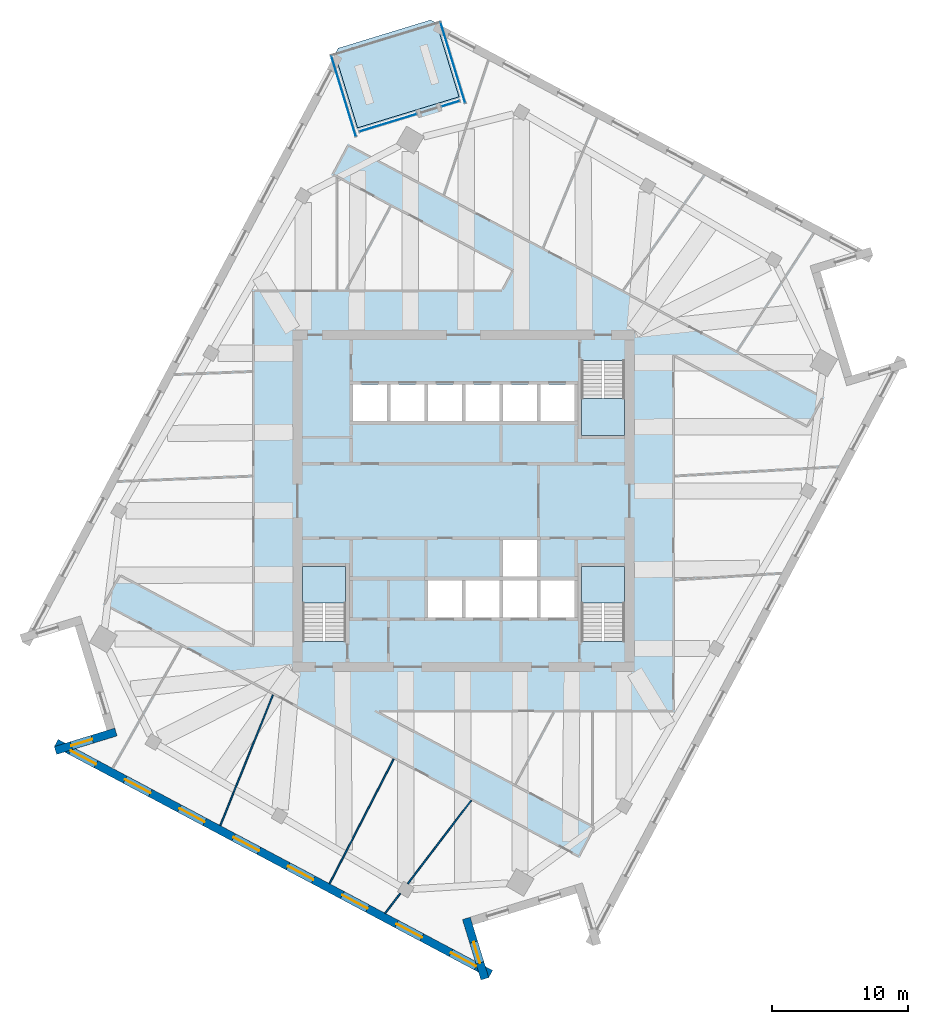
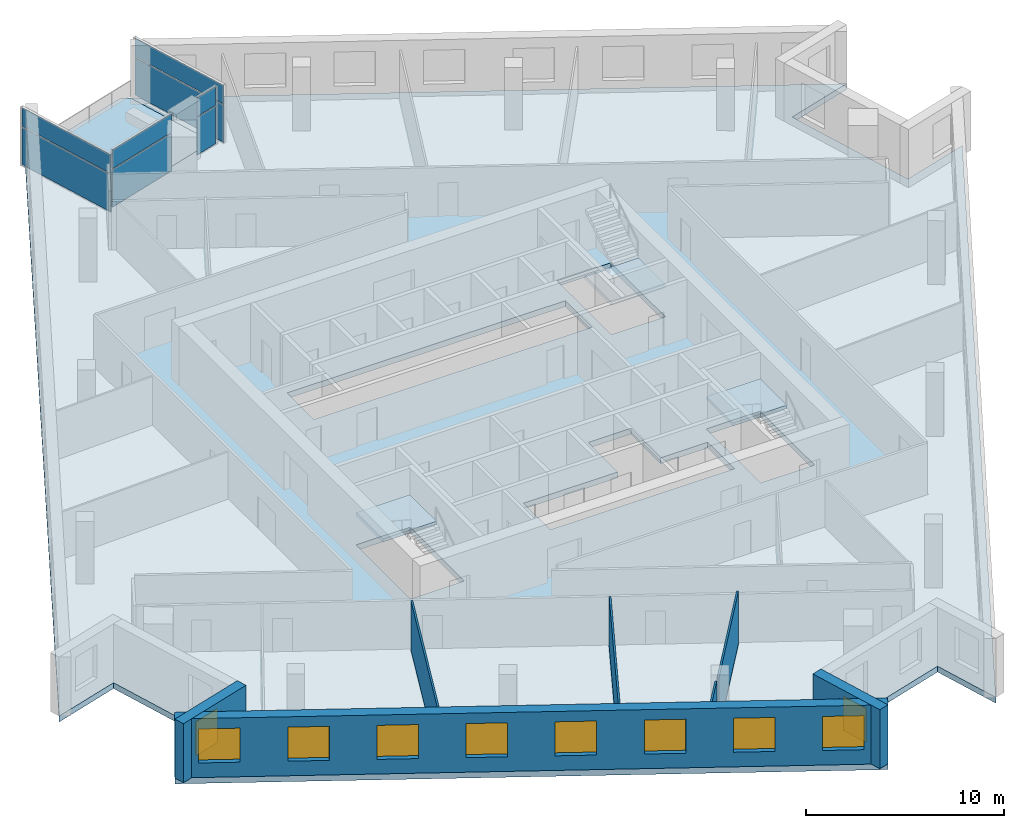
# One storey, part 5 of 13: 10 windows, 8 plates, 7 walls, 5 slabs, 10 openings, 7 elements without a shape of their own.
"""IFC4 building model written with IfcOpenShell, lengths in metres."""

from ifc_helpers import new_model, si_unit, direction, frame, frame_2d, origin, origin_2d, place, context, subcontext, project, spatial, polyline, rectangle, outline, extrude, material, layer, layer_set, type_object, element, fill, aggregate, save


model = new_model("IFC4")

# Units and contexts
model_context = context("Model", 3, precision=1e-05, world=origin(), true_north=direction((0.0, 1.0)))
body_context = subcontext(model_context, "Body", "Model", "MODEL_VIEW")
ifc_project = project(units=[si_unit("LENGTHUNIT", "METRE"), si_unit("AREAUNIT", "SQUARE_METRE"), si_unit("VOLUMEUNIT", "CUBIC_METRE"), si_unit("PLANEANGLEUNIT", "RADIAN"), si_unit("MASSUNIT", "GRAM", prefix="KILO")], contexts=[model_context])

# Site, building, storey
site_placement = place(None, origin())
site = spatial("IfcSite", under=ifc_project, at=site_placement, CompositionType="ELEMENT")
building_placement = place(site_placement, origin())
building = spatial("IfcBuilding", under=site, at=building_placement, Name="Dilmun Exchange Tower", CompositionType="ELEMENT")
storey_placement = place(building_placement, frame((0.0, 0.0, 274.89990234375)))
storey = spatial("IfcBuildingStorey", under=building, at=storey_placement, Name="L65", CompositionType="ELEMENT", Elevation=274.89990234375)

# Stair, slab
ifc_material_1 = material(Name="Concrete C40/50", Category="concrete")
stair_type = type_object("IfcStairType", Name="Exit stair 1500 half-turn", PredefinedType="HALF_TURN_STAIR", material=ifc_material_1)
stair_1_placement = place(storey_placement, origin())
stair_1 = element("IfcStair", 1, at=stair_1_placement, inside=storey, type_object=stair_type, Name="L65 Protected exit stair ST1", PredefinedType="HALF_TURN_STAIR")
ifc_layer_1 = layer(ifc_material_1, 0.199951171875)
ifc_layer_set_1 = layer_set([ifc_layer_1], Name="Concrete C40/50")
slab_type_1 = type_object("IfcSlabType", Name="Exit stair landing 200", PredefinedType="LANDING", material=ifc_layer_set_1)
slab_1_placement = place(storey_placement, frame((0.0, 0.0, 1.800048828125)))
slab_1 = element("IfcSlab", 2, at=slab_1_placement, type_object=slab_type_1, Name="ST1 landing 1", PredefinedType="LANDING", context=body_context, shape_type="SweptSolid", body=[
    extrude(outline(polyline([(8.64990234375, 7.5), (8.64990234375, 4.800048828125), (11.800048828125, 4.800048828125), (11.800048828125, 7.5), (8.64990234375, 7.5)])), origin(), (0.0, 0.0, 1.0), 0.199951171875),
])
aggregate(stair_1, [slab_1])

stair_2_placement = place(storey_placement, origin())
stair_2 = element("IfcStair", 3, at=stair_2_placement, inside=storey, type_object=stair_type, Name="L65 Protected exit stair ST2", PredefinedType="HALF_TURN_STAIR")
slab_2_placement = place(storey_placement, frame((0.0, 0.0, 1.800048828125)))
slab_2 = element("IfcSlab", 4, at=slab_2_placement, type_object=slab_type_1, Name="ST2 landing 1", PredefinedType="LANDING", context=body_context, shape_type="SweptSolid", body=[
    extrude(outline(polyline([(-8.64990234375, -7.5), (-8.64990234375, -4.800048828125), (-11.800048828125, -4.800048828125), (-11.800048828125, -7.5), (-8.64990234375, -7.5)])), origin(), (0.0, 0.0, 1.0), 0.199951171875),
])
aggregate(stair_2, [slab_2])

stair_3_placement = place(storey_placement, origin())
stair_3 = element("IfcStair", 5, at=stair_3_placement, inside=storey, type_object=stair_type, Name="L65 Protected exit stair ST3", PredefinedType="HALF_TURN_STAIR")
slab_3_placement = place(storey_placement, frame((0.0, 0.0, 1.800048828125)))
slab_3 = element("IfcSlab", 6, at=slab_3_placement, type_object=slab_type_1, Name="ST3 landing 1", PredefinedType="LANDING", context=body_context, shape_type="SweptSolid", body=[
    extrude(outline(polyline([(11.800048828125, -7.5), (11.800048828125, -4.800048828125), (8.64990234375, -4.800048828125), (8.64990234375, -7.5), (11.800048828125, -7.5)])), origin(), (0.0, 0.0, 1.0), 0.199951171875),
])
aggregate(stair_3, [slab_3])

# Curtain wall, plates
ifc_material_2 = material(Name="Anodised aluminium and clear glass", Category="aluminium")
curtain_wall_type = type_object("IfcCurtainWallType", Name="Garden corner glazing", PredefinedType="NOTDEFINED", material=ifc_material_2)
curtain_wall_1_placement = place(storey_placement, origin())
curtain_wall_1 = element("IfcCurtainWall", 7, at=curtain_wall_1_placement, inside=storey, type_object=curtain_wall_type, Name="Garden corner glazing run GC1.1", PredefinedType="NOTDEFINED")
ifc_material_3 = material(Name="Clear glass", Category="glass")
ifc_layer_2 = layer(ifc_material_3, 0.028076171875)
ifc_layer_set_2 = layer_set([ifc_layer_2], Name="Clear glass")
plate_type = type_object("IfcPlateType", Name="Garden corner glazing glass panel 28", PredefinedType="CURTAIN_PANEL", material=ifc_layer_set_2)
plate_1_placement = place(storey_placement, frame((-0.785400390625, 32.1337890625, 0.06005859375), z_axis=(0.0, 0.0, 1.0), x_axis=(0.292374306997, -0.956303960364, 0.0)))
plate_1 = element("IfcPlate", 8, at=plate_1_placement, type_object=plate_type, Name="GC1.1 panel 1.1", PredefinedType="CURTAIN_PANEL", context=body_context, shape_type="SweptSolid", body=[
    extrude(rectangle(XDim=6.12646484375, YDim=0.028076171875, at=origin_2d()), origin(), (0.0, 0.0, 1.0), 2.31005859375),
])
plate_2_placement = place(storey_placement, frame((-0.785400390625, 32.1337890625, 2.43017578125), z_axis=(0.0, 0.0, 1.0), x_axis=(0.292374306997, -0.956303960364, 0.0)))
plate_2 = element("IfcPlate", 9, at=plate_2_placement, type_object=plate_type, Name="GC1.1 panel 1.2", PredefinedType="CURTAIN_PANEL", context=body_context, shape_type="SweptSolid", body=[
    extrude(rectangle(XDim=6.12646484375, YDim=0.028076171875, at=origin_2d()), origin(), (0.0, 0.0, 1.0), 1.14990234375),
])
aggregate(curtain_wall_1, [plate_1, plate_2])

curtain_wall_2_placement = place(storey_placement, origin())
curtain_wall_2 = element("IfcCurtainWall", 10, at=curtain_wall_2_placement, inside=storey, type_object=curtain_wall_type, Name="Garden corner glazing run GC2.1", PredefinedType="NOTDEFINED")
plate_3_placement = place(storey_placement, frame((-0.958984375, 29.12841796875, 0.06005859375), z_axis=(0.0, 0.0, 1.0), x_axis=(-0.956297337133, -0.29239596952, 0.0)))
plate_3 = element("IfcPlate", 11, at=plate_3_placement, type_object=plate_type, Name="GC2.1 panel 1.1", PredefinedType="CURTAIN_PANEL", context=body_context, shape_type="SweptSolid", body=[
    extrude(rectangle(XDim=1.369140625, YDim=0.028076171875, at=origin_2d()), origin(), (0.0, 0.0, 1.0), 2.31005859375),
])
plate_4_placement = place(storey_placement, frame((-0.958984375, 29.12841796875, 2.43017578125), z_axis=(0.0, 0.0, 1.0), x_axis=(-0.956297337133, -0.29239596952, 0.0)))
plate_4 = element("IfcPlate", 12, at=plate_4_placement, type_object=plate_type, Name="GC2.1 panel 1.2", PredefinedType="CURTAIN_PANEL", context=body_context, shape_type="SweptSolid", body=[
    extrude(rectangle(XDim=1.369140625, YDim=0.028076171875, at=origin_2d()), origin(), (0.0, 0.0, 1.0), 1.14990234375),
])
aggregate(curtain_wall_2, [plate_3, plate_4])

curtain_wall_3_placement = place(storey_placement, origin())
curtain_wall_3 = element("IfcCurtainWall", 13, at=curtain_wall_3_placement, inside=storey, type_object=curtain_wall_type, Name="Garden corner glazing run GC2.3", PredefinedType="NOTDEFINED")
plate_5_placement = place(storey_placement, frame((-5.538818359375, 27.728271484375, 0.06005859375), z_axis=(0.0, 0.0, 1.0), x_axis=(-0.956302964809, -0.292377563258, 0.0)))
plate_5 = element("IfcPlate", 14, at=plate_5_placement, type_object=plate_type, Name="GC2.3 panel 1.1", PredefinedType="CURTAIN_PANEL", context=body_context, shape_type="SweptSolid", body=[
    extrude(rectangle(XDim=4.369140625, YDim=0.028076171875, at=origin_2d()), origin(), (0.0, 0.0, 1.0), 2.31005859375),
])
plate_6_placement = place(storey_placement, frame((-5.538818359375, 27.728271484375, 2.43017578125), z_axis=(0.0, 0.0, 1.0), x_axis=(-0.956302964809, -0.292377563258, 0.0)))
plate_6 = element("IfcPlate", 15, at=plate_6_placement, type_object=plate_type, Name="GC2.3 panel 1.2", PredefinedType="CURTAIN_PANEL", context=body_context, shape_type="SweptSolid", body=[
    extrude(rectangle(XDim=4.369140625, YDim=0.028076171875, at=origin_2d()), origin(), (0.0, 0.0, 1.0), 1.14990234375),
])
aggregate(curtain_wall_3, [plate_5, plate_6])

curtain_wall_4_placement = place(storey_placement, origin())
curtain_wall_4 = element("IfcCurtainWall", 16, at=curtain_wall_4_placement, inside=storey, type_object=curtain_wall_type, Name="Garden corner glazing run GC3.1", PredefinedType="NOTDEFINED")
plate_7_placement = place(storey_placement, frame((-8.797607421875, 29.684326171875, 0.06005859375), z_axis=(0.0, 0.0, 1.0), x_axis=(-0.292374306997, 0.956303960364, 0.0)))
plate_7 = element("IfcPlate", 17, at=plate_7_placement, type_object=plate_type, Name="GC3.1 panel 1.1", PredefinedType="CURTAIN_PANEL", context=body_context, shape_type="SweptSolid", body=[
    extrude(rectangle(XDim=6.12646484375, YDim=0.028076171875, at=origin_2d()), origin(), (0.0, 0.0, 1.0), 2.31005859375),
])
plate_8_placement = place(storey_placement, frame((-8.797607421875, 29.684326171875, 2.43017578125), z_axis=(0.0, 0.0, 1.0), x_axis=(-0.292374306997, 0.956303960364, 0.0)))
plate_8 = element("IfcPlate", 18, at=plate_8_placement, type_object=plate_type, Name="GC3.1 panel 1.2", PredefinedType="CURTAIN_PANEL", context=body_context, shape_type="SweptSolid", body=[
    extrude(rectangle(XDim=6.12646484375, YDim=0.028076171875, at=origin_2d()), origin(), (0.0, 0.0, 1.0), 1.14990234375),
])
aggregate(curtain_wall_4, [plate_7, plate_8])

# Slabs
ifc_layer_3 = layer(ifc_material_1, 0.360107421875)
ifc_layer_set_3 = layer_set([ifc_layer_3], Name="Concrete C40/50")
slab_type_2 = type_object("IfcSlabType", Name="RC floor slab 360", PredefinedType="FLOOR", material=ifc_layer_set_3)
slab_4_placement = place(storey_placement, frame((0.0, 0.0, -0.35986328125)))
element("IfcSlab", 19, at=slab_4_placement, inside=storey, type_object=slab_type_2, Name="Floor slab", PredefinedType="FLOOR", context=body_context, shape_type="SweptSolid", body=[
    extrude(outline(polyline([(26.156005859375, 16.837890625), (28.4951171875, 9.1875), (32.354248046875, 10.3671875), (9.497314453125, -32.6201171875), (8.317626953125, -28.760986328125), (0.6669921875, -31.10009765625), (1.846923828125, -34.959228515625), (-30.015380859375, -18.017578125), (-26.156005859375, -16.837890625), (-28.4951171875, -9.1875), (-32.354248046875, -10.3671875), (-9.423828125, 32.7587890625), (-7.77294921875, 27.35888671875), (-0.334716796875, 29.633056640625), (-1.985595703125, 35.03271484375), (30.015380859375, 18.017578125), (26.156005859375, 16.837890625)]), holes=[polyline([(-8.64990234375, -4.800048828125), (-11.800048828125, -4.800048828125), (-11.800048828125, -10.294921875), (-8.64990234375, -10.294921875), (-8.64990234375, -4.800048828125)]), polyline([(11.800048828125, -4.800048828125), (8.64990234375, -4.800048828125), (8.64990234375, -10.294921875), (11.800048828125, -10.294921875), (11.800048828125, -4.800048828125)]), polyline([(2.875, -5.85009765625), (-2.625, -5.85009765625), (-2.625, -8.550048828125), (8.125, -8.550048828125), (8.125, -5.85009765625), (5.375, -5.85009765625), (5.375, -2.85009765625), (2.875, -2.85009765625), (2.875, -5.85009765625)]), polyline([(8.125, 5.85009765625), (8.125, 8.550048828125), (-8.125, 8.550048828125), (-8.125, 5.85009765625), (8.125, 5.85009765625)]), polyline([(8.64990234375, 10.294921875), (8.64990234375, 4.800048828125), (11.800048828125, 4.800048828125), (11.800048828125, 10.294921875), (8.64990234375, 10.294921875)])]), origin(), (0.0, 0.0, 1.0), 0.35986328125),
])
ifc_layer_4 = layer(ifc_material_1, 0.300048828125)
ifc_layer_set_4 = layer_set([ifc_layer_4], Name="Concrete C40/50")
slab_type_3 = type_object("IfcSlabType", Name="RC garden terrace slab 300", PredefinedType="FLOOR", material=ifc_layer_set_4)
slab_5_placement = place(storey_placement, frame((0.0, 0.0, -0.2998046875)))
element("IfcSlab", 20, at=slab_5_placement, inside=storey, type_object=slab_type_3, Name="Garden terrace slab", PredefinedType="FLOOR", context=body_context, shape_type="SweptSolid", body=[
    extrude(outline(polyline([(-7.77294921875, 27.35888671875), (-9.423828125, 32.7587890625), (-9.189208984375, 33.2001953125), (-2.427001953125, 35.267578125), (-1.985595703125, 35.03271484375), (-0.334716796875, 29.633056640625), (-7.77294921875, 27.35888671875)])), origin(), (0.0, 0.0, 1.0), 0.2998046875),
])

# Walls
ifc_material_4 = material(Name="Partition 100")
ifc_layer_5 = layer(ifc_material_4, 0.10009765625)
ifc_layer_set_5 = layer_set([ifc_layer_5], Name="Partition 100")
wall_type_1 = type_object("IfcWallType", Name="Partition 100", PredefinedType="PARTITIONING", material=ifc_layer_set_5)
wall_1_placement = place(storey_placement, frame((-17.840087890625, -23.8095703125, 0.0), z_axis=(0.0, 0.0, 1.0), x_axis=(0.373322071297, 0.927701800732, 0.0)))
element("IfcWall", 21, at=wall_1_placement, inside=storey, type_object=wall_type_1, Name="Partition", PredefinedType="PARTITIONING", context=body_context, shape_type="SweptSolid", body=[
    extrude(rectangle(XDim=10.326171875, YDim=0.10009765625, at=frame_2d((5.1630859375, 0.0))), origin(), (0.0, 0.0, 1.0), 3.0400390625),
])
wall_2_placement = place(storey_placement, frame((-9.82568359375, -28.07080078125, 0.0), z_axis=(0.0, 0.0, 1.0), x_axis=(0.457289483917, 0.889317900359, 0.0)))
element("IfcWall", 22, at=wall_2_placement, inside=storey, type_object=wall_type_1, Name="Partition", PredefinedType="PARTITIONING", context=body_context, shape_type="SweptSolid", body=[
    extrude(rectangle(XDim=10.273681640625, YDim=0.10009765625, at=frame_2d((5.13671875, 0.0))), origin(), (0.0, 0.0, 1.0), 3.0400390625),
])
wall_3_placement = place(storey_placement, frame((-5.75, -30.238037109375, 0.0), z_axis=(0.0, 0.0, 1.0), x_axis=(0.60662872898, 0.794985273559, 0.0)))
element("IfcWall", 23, at=wall_3_placement, inside=storey, type_object=wall_type_1, Name="Partition", PredefinedType="PARTITIONING", context=body_context, shape_type="SweptSolid", body=[
    extrude(rectangle(XDim=1.821044921875, YDim=0.10009765625, at=frame_2d((0.91064453125, 0.0))), origin(), (0.0, 0.0, 1.0), 3.64013671875),
])
wall_4_placement = place(storey_placement, frame((-4.09521484375, -28.069580078125, 0.0), z_axis=(0.0, 0.0, 1.0), x_axis=(0.606675434914, 0.794949631532, 0.0)))
element("IfcWall", 24, at=wall_4_placement, inside=storey, type_object=wall_type_1, Name="Partition", PredefinedType="PARTITIONING", context=body_context, shape_type="SweptSolid", body=[
    extrude(rectangle(XDim=7.6767578125, YDim=0.10009765625, at=frame_2d((3.83837890625, 0.0))), origin(), (0.0, 0.0, 1.0), 3.239990234375),
])

# Wall, opening, window
ifc_material_5 = material(Name="Precast concrete C50/60", Category="concrete")
ifc_layer_6 = layer(ifc_material_5, 0.60009765625)
ifc_layer_set_6 = layer_set([ifc_layer_6], Name="Precast concrete C50/60")
wall_type_2 = type_object("IfcWallType", Name="Precast stone-clad wall 600", PredefinedType="STANDARD", material=ifc_layer_set_6)
wall_5_placement = place(storey_placement, frame((-25.49462890625, -16.94921875, 0.0), z_axis=(0.0, 0.0, 1.0), x_axis=(-0.956292267386, -0.292412549899, 0.0)))
wall_5 = element("IfcWall", 25, at=wall_5_placement, inside=storey, type_object=wall_type_2, Name="Facade wall L65-06", PredefinedType="STANDARD", context=body_context, shape_type="SweptSolid", body=[
    extrude(rectangle(XDim=4.635498046875, YDim=0.60009765625, at=frame_2d((2.31787109375, 0.0))), origin(), (0.0, 0.0, 1.0), 3.64013671875),
])
opening_1_placement = place(wall_5_placement, frame((1.81787109375, 0.0, 0.89990234375)))
opening_1 = element("IfcOpeningElement", 26, at=opening_1_placement, cuts=wall_5, Name="Opening W160-210", PredefinedType="OPENING", context=body_context, shape_type="SweptSolid", body=[
    extrude(rectangle(XDim=1.60009765625, YDim=2.10009765625, at=frame_2d((0.800048828125, 1.050048828125))), frame((0.0, 0.31005859375, 0.0), z_axis=(0.0, -1.0, 0.0), x_axis=(1.0, 0.0, 0.0)), (0.0, 0.0, 1.0), 0.6201171875),
])
ifc_material_6 = material(Name="Clear low-emissivity glass in aluminium frame", Category="aluminium")
window_type_1 = type_object("IfcWindowType", Name="Punched window 1600 x 2100", PartitioningType="DOUBLE_PANEL_VERTICAL", PredefinedType="WINDOW", material=ifc_material_6)
window_1_placement = place(opening_1_placement, origin())
window_1 = element("IfcWindow", 27, at=window_1_placement, inside=storey, type_object=window_type_1, Name="Window 7.1", OverallHeight=2.10009765625, OverallWidth=1.60009765625, PartitioningType="SINGLE_PANEL", PredefinedType="WINDOW", context=body_context, shape_type="SweptSolid", body=[
    extrude(rectangle(XDim=1.60009765625, YDim=2.10009765625, at=frame_2d((0.800048828125, 1.050048828125))), frame((0.0, 0.030029296875, 0.0), z_axis=(0.0, -1.0, 0.0), x_axis=(1.0, 0.0, 0.0)), (0.0, 0.0, 1.0), 0.06005859375),
])
fill(opening_1, window_1)

# Wall, openings, windows
wall_6_placement = place(storey_placement, frame((-29.87451171875, -17.752685546875, 0.0), z_axis=(0.0, 0.0, 1.0), x_axis=(0.882945726539, -0.469475072806, 0.0)))
wall_6 = element("IfcWall", 28, at=wall_6_placement, inside=storey, type_object=wall_type_2, Name="Facade wall L65-07", PredefinedType="STANDARD", context=body_context, shape_type="SweptSolid", body=[
    extrude(rectangle(XDim=36.08642578125, YDim=0.60009765625, at=frame_2d((18.043212890625, 0.0))), origin(), (0.0, 0.0, 1.0), 3.64013671875),
])
opening_2_placement = place(wall_6_placement, frame((1.205322265625, 0.0, 0.89990234375)))
opening_2 = element("IfcOpeningElement", 29, at=opening_2_placement, cuts=wall_6, Name="Opening W210-210", PredefinedType="OPENING", context=body_context, shape_type="SweptSolid", body=[
    extrude(rectangle(XDim=2.10009765625, YDim=2.10009765625, at=frame_2d((1.050048828125, 1.050048828125))), frame((0.0, 0.31005859375, 0.0), z_axis=(0.0, -1.0, 0.0), x_axis=(1.0, 0.0, 0.0)), (0.0, 0.0, 1.0), 0.6201171875),
])
opening_3_placement = place(wall_6_placement, frame((5.71630859375, 0.0, 0.89990234375)))
opening_3 = element("IfcOpeningElement", 30, at=opening_3_placement, cuts=wall_6, Name="Opening W210-210", PredefinedType="OPENING", context=body_context, shape_type="SweptSolid", body=[
    extrude(rectangle(XDim=2.10009765625, YDim=2.10009765625, at=frame_2d((1.050048828125, 1.050048828125))), frame((0.0, 0.31005859375, 0.0), z_axis=(0.0, -1.0, 0.0), x_axis=(1.0, 0.0, 0.0)), (0.0, 0.0, 1.0), 0.6201171875),
])
opening_4_placement = place(wall_6_placement, frame((10.22705078125, 0.0, 0.89990234375)))
opening_4 = element("IfcOpeningElement", 31, at=opening_4_placement, cuts=wall_6, Name="Opening W210-210", PredefinedType="OPENING", context=body_context, shape_type="SweptSolid", body=[
    extrude(rectangle(XDim=2.10009765625, YDim=2.10009765625, at=frame_2d((1.050048828125, 1.050048828125))), frame((0.0, 0.31005859375, 0.0), z_axis=(0.0, -1.0, 0.0), x_axis=(1.0, 0.0, 0.0)), (0.0, 0.0, 1.0), 0.6201171875),
])
opening_5_placement = place(wall_6_placement, frame((14.73779296875, 0.0, 0.89990234375)))
opening_5 = element("IfcOpeningElement", 32, at=opening_5_placement, cuts=wall_6, Name="Opening W210-210", PredefinedType="OPENING", context=body_context, shape_type="SweptSolid", body=[
    extrude(rectangle(XDim=2.10009765625, YDim=2.10009765625, at=frame_2d((1.050048828125, 1.050048828125))), frame((0.0, 0.31005859375, 0.0), z_axis=(0.0, -1.0, 0.0), x_axis=(1.0, 0.0, 0.0)), (0.0, 0.0, 1.0), 0.6201171875),
])
opening_6_placement = place(wall_6_placement, frame((19.24853515625, 0.0, 0.89990234375)))
opening_6 = element("IfcOpeningElement", 33, at=opening_6_placement, cuts=wall_6, Name="Opening W210-210", PredefinedType="OPENING", context=body_context, shape_type="SweptSolid", body=[
    extrude(rectangle(XDim=2.10009765625, YDim=2.10009765625, at=frame_2d((1.050048828125, 1.050048828125))), frame((0.0, 0.31005859375, 0.0), z_axis=(0.0, -1.0, 0.0), x_axis=(1.0, 0.0, 0.0)), (0.0, 0.0, 1.0), 0.6201171875),
])
opening_7_placement = place(wall_6_placement, frame((23.75927734375, 0.0, 0.89990234375)))
opening_7 = element("IfcOpeningElement", 34, at=opening_7_placement, cuts=wall_6, Name="Opening W210-210", PredefinedType="OPENING", context=body_context, shape_type="SweptSolid", body=[
    extrude(rectangle(XDim=2.10009765625, YDim=2.10009765625, at=frame_2d((1.050048828125, 1.050048828125))), frame((0.0, 0.31005859375, 0.0), z_axis=(0.0, -1.0, 0.0), x_axis=(1.0, 0.0, 0.0)), (0.0, 0.0, 1.0), 0.6201171875),
])
opening_8_placement = place(wall_6_placement, frame((28.27001953125, 0.0, 0.89990234375)))
opening_8 = element("IfcOpeningElement", 35, at=opening_8_placement, cuts=wall_6, Name="Opening W210-210", PredefinedType="OPENING", context=body_context, shape_type="SweptSolid", body=[
    extrude(rectangle(XDim=2.10009765625, YDim=2.10009765625, at=frame_2d((1.050048828125, 1.050048828125))), frame((0.0, 0.31005859375, 0.0), z_axis=(0.0, -1.0, 0.0), x_axis=(1.0, 0.0, 0.0)), (0.0, 0.0, 1.0), 0.6201171875),
])
opening_9_placement = place(wall_6_placement, frame((32.781005859375, 0.0, 0.89990234375)))
opening_9 = element("IfcOpeningElement", 36, at=opening_9_placement, cuts=wall_6, Name="Opening W210-210", PredefinedType="OPENING", context=body_context, shape_type="SweptSolid", body=[
    extrude(rectangle(XDim=2.10009765625, YDim=2.10009765625, at=frame_2d((1.050048828125, 1.050048828125))), frame((0.0, 0.31005859375, 0.0), z_axis=(0.0, -1.0, 0.0), x_axis=(1.0, 0.0, 0.0)), (0.0, 0.0, 1.0), 0.6201171875),
])
window_type_2 = type_object("IfcWindowType", Name="Punched window 2100 x 2100", PartitioningType="DOUBLE_PANEL_VERTICAL", PredefinedType="WINDOW", material=ifc_material_6)
window_2_placement = place(opening_2_placement, origin())
window_2 = element("IfcWindow", 37, at=window_2_placement, inside=storey, type_object=window_type_2, Name="Window 8.1", OverallHeight=2.10009765625, OverallWidth=2.10009765625, PartitioningType="SINGLE_PANEL", PredefinedType="WINDOW", context=body_context, shape_type="SweptSolid", body=[
    extrude(rectangle(XDim=2.10009765625, YDim=2.10009765625, at=frame_2d((1.050048828125, 1.050048828125))), frame((0.0, 0.030029296875, 0.0), z_axis=(0.0, -1.0, 0.0), x_axis=(1.0, 0.0, 0.0)), (0.0, 0.0, 1.0), 0.06005859375),
])
fill(opening_2, window_2)
window_3_placement = place(opening_3_placement, origin())
window_3 = element("IfcWindow", 38, at=window_3_placement, inside=storey, type_object=window_type_2, Name="Window 8.2", OverallHeight=2.10009765625, OverallWidth=2.10009765625, PartitioningType="SINGLE_PANEL", PredefinedType="WINDOW", context=body_context, shape_type="SweptSolid", body=[
    extrude(rectangle(XDim=2.10009765625, YDim=2.10009765625, at=frame_2d((1.050048828125, 1.050048828125))), frame((0.0, 0.030029296875, 0.0), z_axis=(0.0, -1.0, 0.0), x_axis=(1.0, 0.0, 0.0)), (0.0, 0.0, 1.0), 0.06005859375),
])
fill(opening_3, window_3)
window_4_placement = place(opening_4_placement, origin())
window_4 = element("IfcWindow", 39, at=window_4_placement, inside=storey, type_object=window_type_2, Name="Window 8.3", OverallHeight=2.10009765625, OverallWidth=2.10009765625, PartitioningType="SINGLE_PANEL", PredefinedType="WINDOW", context=body_context, shape_type="SweptSolid", body=[
    extrude(rectangle(XDim=2.10009765625, YDim=2.10009765625, at=frame_2d((1.050048828125, 1.050048828125))), frame((0.0, 0.030029296875, 0.0), z_axis=(0.0, -1.0, 0.0), x_axis=(1.0, 0.0, 0.0)), (0.0, 0.0, 1.0), 0.06005859375),
])
fill(opening_4, window_4)
window_5_placement = place(opening_5_placement, origin())
window_5 = element("IfcWindow", 40, at=window_5_placement, inside=storey, type_object=window_type_2, Name="Window 8.4", OverallHeight=2.10009765625, OverallWidth=2.10009765625, PartitioningType="SINGLE_PANEL", PredefinedType="WINDOW", context=body_context, shape_type="SweptSolid", body=[
    extrude(rectangle(XDim=2.10009765625, YDim=2.10009765625, at=frame_2d((1.050048828125, 1.050048828125))), frame((0.0, 0.030029296875, 0.0), z_axis=(0.0, -1.0, 0.0), x_axis=(1.0, 0.0, 0.0)), (0.0, 0.0, 1.0), 0.06005859375),
])
fill(opening_5, window_5)
window_6_placement = place(opening_6_placement, origin())
window_6 = element("IfcWindow", 41, at=window_6_placement, inside=storey, type_object=window_type_2, Name="Window 8.5", OverallHeight=2.10009765625, OverallWidth=2.10009765625, PartitioningType="SINGLE_PANEL", PredefinedType="WINDOW", context=body_context, shape_type="SweptSolid", body=[
    extrude(rectangle(XDim=2.10009765625, YDim=2.10009765625, at=frame_2d((1.050048828125, 1.050048828125))), frame((0.0, 0.030029296875, 0.0), z_axis=(0.0, -1.0, 0.0), x_axis=(1.0, 0.0, 0.0)), (0.0, 0.0, 1.0), 0.06005859375),
])
fill(opening_6, window_6)
window_7_placement = place(opening_7_placement, origin())
window_7 = element("IfcWindow", 42, at=window_7_placement, inside=storey, type_object=window_type_2, Name="Window 8.6", OverallHeight=2.10009765625, OverallWidth=2.10009765625, PartitioningType="SINGLE_PANEL", PredefinedType="WINDOW", context=body_context, shape_type="SweptSolid", body=[
    extrude(rectangle(XDim=2.10009765625, YDim=2.10009765625, at=frame_2d((1.050048828125, 1.050048828125))), frame((0.0, 0.030029296875, 0.0), z_axis=(0.0, -1.0, 0.0), x_axis=(1.0, 0.0, 0.0)), (0.0, 0.0, 1.0), 0.06005859375),
])
fill(opening_7, window_7)
window_8_placement = place(opening_8_placement, origin())
window_8 = element("IfcWindow", 43, at=window_8_placement, inside=storey, type_object=window_type_2, Name="Window 8.7", OverallHeight=2.10009765625, OverallWidth=2.10009765625, PartitioningType="SINGLE_PANEL", PredefinedType="WINDOW", context=body_context, shape_type="SweptSolid", body=[
    extrude(rectangle(XDim=2.10009765625, YDim=2.10009765625, at=frame_2d((1.050048828125, 1.050048828125))), frame((0.0, 0.030029296875, 0.0), z_axis=(0.0, -1.0, 0.0), x_axis=(1.0, 0.0, 0.0)), (0.0, 0.0, 1.0), 0.06005859375),
])
fill(opening_8, window_8)
window_9_placement = place(opening_9_placement, origin())
window_9 = element("IfcWindow", 44, at=window_9_placement, inside=storey, type_object=window_type_2, Name="Window 8.8", OverallHeight=2.10009765625, OverallWidth=2.10009765625, PartitioningType="SINGLE_PANEL", PredefinedType="WINDOW", context=body_context, shape_type="SweptSolid", body=[
    extrude(rectangle(XDim=2.10009765625, YDim=2.10009765625, at=frame_2d((1.050048828125, 1.050048828125))), frame((0.0, 0.030029296875, 0.0), z_axis=(0.0, -1.0, 0.0), x_axis=(1.0, 0.0, 0.0)), (0.0, 0.0, 1.0), 0.06005859375),
])
fill(opening_9, window_9)

# Wall, opening, window
wall_7_placement = place(storey_placement, frame((1.56005859375, -35.046875, 0.0), z_axis=(0.0, 0.0, 1.0), x_axis=(-0.2923643842, 0.956306994041, 0.0)))
wall_7 = element("IfcWall", 45, at=wall_7_placement, inside=storey, type_object=wall_type_2, Name="Facade wall L65-08", PredefinedType="STANDARD", context=body_context, shape_type="SweptSolid", body=[
    extrude(rectangle(XDim=4.635498046875, YDim=0.60009765625, at=frame_2d((2.31787109375, 0.0))), origin(), (0.0, 0.0, 1.0), 3.64013671875),
])
opening_10_placement = place(wall_7_placement, frame((1.2177734375, 0.0, 0.89990234375)))
opening_10 = element("IfcOpeningElement", 46, at=opening_10_placement, cuts=wall_7, Name="Opening W160-210", PredefinedType="OPENING", context=body_context, shape_type="SweptSolid", body=[
    extrude(rectangle(XDim=1.60009765625, YDim=2.10009765625, at=frame_2d((0.800048828125, 1.050048828125))), frame((0.0, 0.31005859375, 0.0), z_axis=(0.0, -1.0, 0.0), x_axis=(1.0, 0.0, 0.0)), (0.0, 0.0, 1.0), 0.6201171875),
])
window_10_placement = place(opening_10_placement, origin())
window_10 = element("IfcWindow", 47, at=window_10_placement, inside=storey, type_object=window_type_1, Name="Window 9.1", OverallHeight=2.10009765625, OverallWidth=1.60009765625, PartitioningType="SINGLE_PANEL", PredefinedType="WINDOW", context=body_context, shape_type="SweptSolid", body=[
    extrude(rectangle(XDim=1.60009765625, YDim=2.10009765625, at=frame_2d((0.800048828125, 1.050048828125))), frame((0.0, 0.030029296875, 0.0), z_axis=(0.0, -1.0, 0.0), x_axis=(1.0, 0.0, 0.0)), (0.0, 0.0, 1.0), 0.06005859375),
])
fill(opening_10, window_10)

save(model, "model.ifc")
